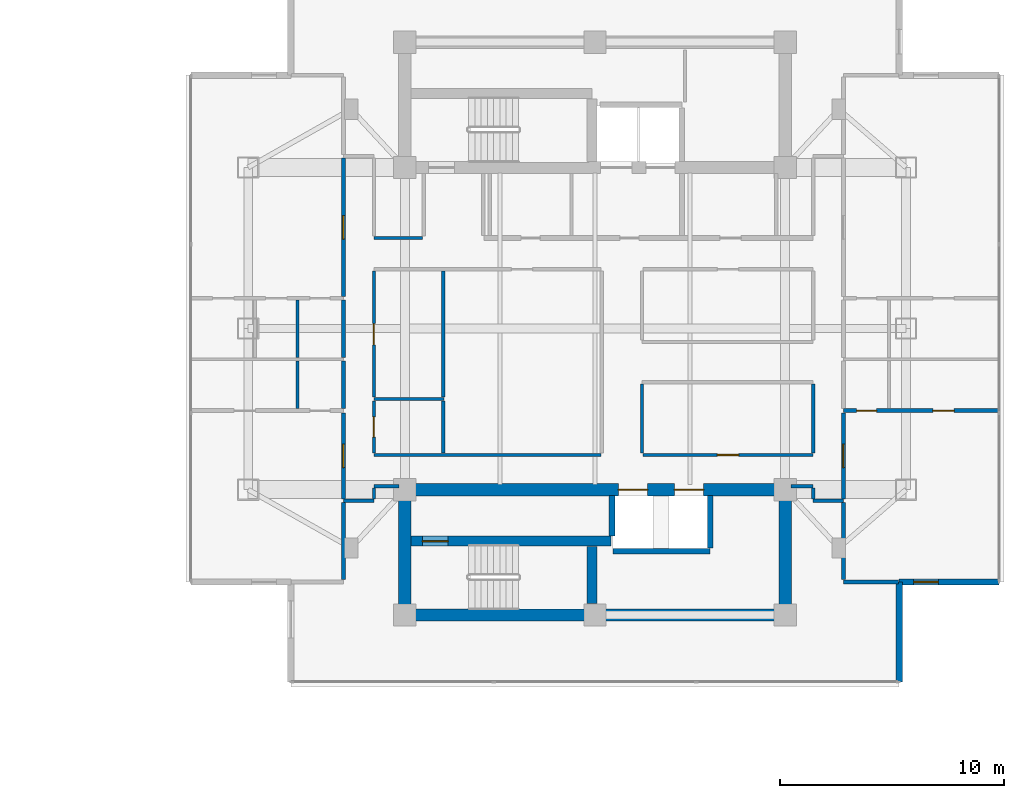
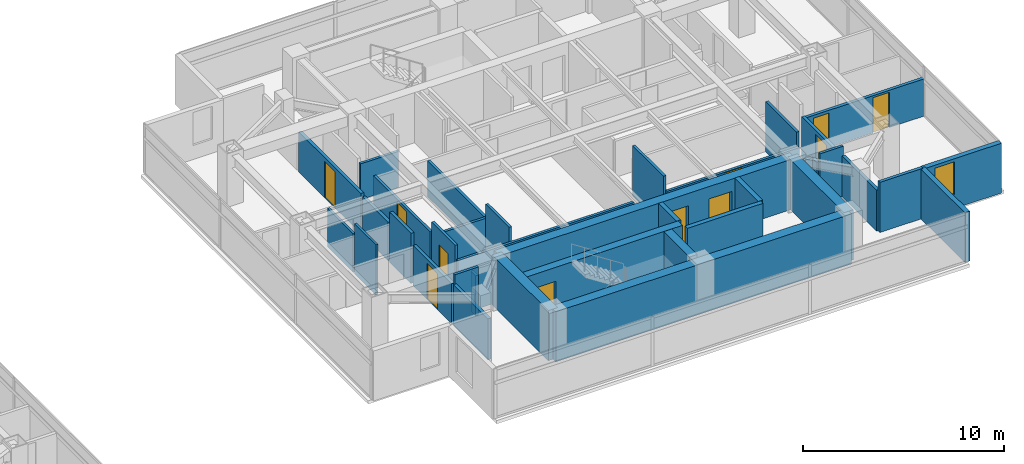
# One storey, part 17 of 25: 38 walls, 11 doors, 1 window, 12 openings.
"""IFC4 building model written with IfcOpenShell, lengths in metres."""

from ifc_helpers import new_model, si_unit, direction, frame, frame_2d, origin, place, context, subcontext, project, spatial, rectangle, extrude, material, layer, layer_set, type_object, element, fill, save


model = new_model("IFC4")

# Units and contexts
model_context = context("Model", 3, precision=1e-05, world=origin(), true_north=direction((0.0, 1.0)))
body_context = subcontext(model_context, "Body", "Model", "MODEL_VIEW")
ifc_project = project(units=[si_unit("LENGTHUNIT", "METRE"), si_unit("AREAUNIT", "SQUARE_METRE"), si_unit("VOLUMEUNIT", "CUBIC_METRE"), si_unit("PLANEANGLEUNIT", "RADIAN"), si_unit("MASSUNIT", "GRAM", prefix="KILO")], contexts=[model_context])

# Site, building, storey
site_placement = place(None, origin())
site = spatial("IfcSite", under=ifc_project, at=site_placement, CompositionType="ELEMENT")
building_placement = place(site_placement, origin())
building = spatial("IfcBuilding", under=site, at=building_placement, Name="Mirazonda Arch Towers", CompositionType="ELEMENT")
storey_placement = place(building_placement, frame((0.0, 0.0, 173.89990234375)))
storey = spatial("IfcBuildingStorey", under=building, at=storey_placement, Name="L49", CompositionType="ELEMENT", Elevation=173.89990234375)

# Wall, opening, door
ifc_material_1 = material(Name="Concrete C50/60", Category="concrete")
ifc_layer_1 = layer(ifc_material_1, 0.449951171875, Name="WALL-CORE-450")
ifc_layer_set_1 = layer_set([ifc_layer_1], Name="Concrete C50/60")
wall_type_1 = type_object("IfcWallType", Name="WALL-CORE-450", PredefinedType="SHEAR", material=ifc_layer_set_1)
wall_1_placement = place(storey_placement, frame((68.27001953125, 18.5, 0.0), z_axis=(0.0, 0.0, 1.0), x_axis=(1.0, 0.0, 0.0)))
wall_1 = element("IfcWall", 1, at=wall_1_placement, inside=storey, type_object=wall_type_1, Name="L49 Stair Core Shear Wall 013", PredefinedType="SHEAR", context=body_context, shape_type="SweptSolid", body=[
    extrude(rectangle(XDim=8.949951171875, YDim=0.449951171875, at=frame_2d((4.47509765625, 0.0))), origin(), (0.0, 0.0, 1.0), 3.050048828125),
])
opening_1_placement = place(wall_1_placement, frame((0.52001953125, 0.0, 0.0)))
opening_1 = element("IfcOpeningElement", 2, at=opening_1_placement, cuts=wall_1, Name="Opening DR-135", PredefinedType="OPENING", context=body_context, shape_type="SweptSolid", body=[
    extrude(rectangle(XDim=1.14990234375, YDim=2.199951171875, at=frame_2d((0.574951171875, 1.10009765625))), frame((0.0, 0.23486328125, 0.0), z_axis=(0.0, -1.0, 0.0), x_axis=(1.0, 0.0, 0.0)), (0.0, 0.0, 1.0), 0.469970703125),
])
ifc_material_2 = material(Name="Architectural Brushed Steel S355", Category="steel")
door_type_1 = type_object("IfcDoorType", Name="DOOR-STAIR-FD90-1150", OperationType="NOTDEFINED", PredefinedType="DOOR", material=ifc_material_2)
door_1_placement = place(opening_1_placement, origin())
door_1 = element("IfcDoor", 3, at=door_1_placement, inside=storey, type_object=door_type_1, Name="L49 East Protected Stair South Door", OperationType="SINGLE_SWING_RIGHT", OverallHeight=2.199951171875, OverallWidth=1.14990234375, PredefinedType="DOOR", context=body_context, shape_type="SweptSolid", body=[
    extrude(rectangle(XDim=1.14990234375, YDim=2.199951171875, at=frame_2d((0.574951171875, 1.10009765625))), frame((0.0, 0.02490234375, 0.0), z_axis=(0.0, -1.0, 0.0), x_axis=(1.0, 0.0, 0.0)), (0.0, 0.0, 1.0), 0.050048828125),
])
fill(opening_1, door_1)

# Walls
wall_2_placement = place(storey_placement, frame((76.360107421875, 15.715087890625, 0.0), z_axis=(0.0, 0.0, 1.0), x_axis=(0.0, 1.0, 0.0)))
element("IfcWall", 4, at=wall_2_placement, inside=storey, type_object=wall_type_1, Name="L49 Stair Core Shear Wall 154", PredefinedType="SHEAR", context=body_context, shape_type="SweptSolid", body=[
    extrude(rectangle(XDim=2.5498046875, YDim=0.449951171875, at=frame_2d((1.27490234375, 0.0))), origin(), (0.0, 0.0, 1.0), 3.050048828125),
])
ifc_layer_2 = layer(ifc_material_1, 0.550048828125, Name="WALL-CORE-550")
ifc_layer_set_2 = layer_set([ifc_layer_2], Name="Concrete C50/60")
wall_type_2 = type_object("IfcWallType", Name="WALL-CORE-550", PredefinedType="SHEAR", material=ifc_layer_set_2)
wall_3_placement = place(storey_placement, frame((68.0, 15.199951171875, 0.0), z_axis=(0.0, 0.0, 1.0), x_axis=(1.0, 0.0, 0.0)))
element("IfcWall", 5, at=wall_3_placement, inside=storey, type_object=wall_type_2, Name="L49 T2S-S Core Shear Wall", PredefinedType="SHEAR", context=body_context, shape_type="SweptSolid", body=[
    extrude(rectangle(XDim=17.0, YDim=0.550048828125, at=frame_2d((8.5, 0.0))), origin(), (0.0, 0.0, 1.0), 3.050048828125),
])
for number, where, z_axis, x_axis, name in (
    (6, (68.0, 15.199951171875, 0.0), (0.0, 0.0, 1.0), (0.0, 1.0, 0.0), "L49 T2S-W Core Shear Wall"),
    (7, (85.0, 15.199951171875, 0.0), (0.0, 0.0, 1.0), (0.0, 1.0, 0.0), "L49 T2S-E Core Shear Wall"),
):
    element("IfcWall", number, at=place(storey_placement, frame(where, z_axis=z_axis, x_axis=x_axis)), inside=storey, type_object=wall_type_2, Name=name, PredefinedType="SHEAR", context=body_context, shape_type="SweptSolid", body=[
        extrude(rectangle(XDim=5.60009765625, YDim=0.550048828125, at=frame_2d((2.800048828125, 0.0))), origin(), (0.0, 0.0, 1.0), 3.050048828125),
    ])

# Wall, openings, doors
wall_4_placement = place(storey_placement, frame((68.0, 20.800048828125, 0.0), z_axis=(0.0, 0.0, 1.0), x_axis=(1.0, 0.0, 0.0)))
wall_4 = element("IfcWall", 8, at=wall_4_placement, inside=storey, type_object=wall_type_2, Name="L49 T2S-N Core Shear Wall", PredefinedType="SHEAR", context=body_context, shape_type="SweptSolid", body=[
    extrude(rectangle(XDim=17.0, YDim=0.550048828125, at=frame_2d((8.5, 0.0))), origin(), (0.0, 0.0, 1.0), 3.050048828125),
])
opening_2_placement = place(wall_4_placement, frame((9.550048828125, 0.0, 0.0)))
opening_2 = element("IfcOpeningElement", 9, at=opening_2_placement, cuts=wall_4, Name="Opening LD-111", PredefinedType="OPENING", context=body_context, shape_type="SweptSolid", body=[
    extrude(rectangle(XDim=1.300048828125, YDim=2.300048828125, at=frame_2d((0.64990234375, 1.14990234375))), frame((0.0, 0.284912109375, 0.0), z_axis=(0.0, -1.0, 0.0), x_axis=(1.0, 0.0, 0.0)), (0.0, 0.0, 1.0), 0.570068359375),
])
opening_3_placement = place(wall_4_placement, frame((12.050048828125, 0.0, 0.0)))
opening_3 = element("IfcOpeningElement", 10, at=opening_3_placement, cuts=wall_4, Name="Opening LD-111", PredefinedType="OPENING", context=body_context, shape_type="SweptSolid", body=[
    extrude(rectangle(XDim=1.300048828125, YDim=2.300048828125, at=frame_2d((0.64990234375, 1.14990234375))), frame((0.0, 0.284912109375, 0.0), z_axis=(0.0, -1.0, 0.0), x_axis=(1.0, 0.0, 0.0)), (0.0, 0.0, 1.0), 0.570068359375),
])
door_type_2 = type_object("IfcDoorType", Name="DOOR-LIFT-LAND-1300", OperationType="NOTDEFINED", PredefinedType="DOOR", material=ifc_material_2)
door_2_placement = place(opening_2_placement, origin())
door_2 = element("IfcDoor", 11, at=door_2_placement, inside=storey, type_object=door_type_2, Name="L49 Lift Landing Sliding Door PL-T2H1", OperationType="DOUBLE_DOOR_SLIDING", OverallHeight=2.300048828125, OverallWidth=1.300048828125, PredefinedType="DOOR", context=body_context, shape_type="SweptSolid", body=[
    extrude(rectangle(XDim=1.300048828125, YDim=2.300048828125, at=frame_2d((0.64990234375, 1.14990234375))), frame((0.0, 0.02490234375, 0.0), z_axis=(0.0, -1.0, 0.0), x_axis=(1.0, 0.0, 0.0)), (0.0, 0.0, 1.0), 0.050048828125),
])
fill(opening_2, door_2)
door_3_placement = place(opening_3_placement, origin())
door_3 = element("IfcDoor", 12, at=door_3_placement, inside=storey, type_object=door_type_2, Name="L49 Lift Landing Sliding Door PL-T2H2", OperationType="DOUBLE_DOOR_SLIDING", OverallHeight=2.300048828125, OverallWidth=1.300048828125, PredefinedType="DOOR", context=body_context, shape_type="SweptSolid", body=[
    extrude(rectangle(XDim=1.300048828125, YDim=2.300048828125, at=frame_2d((0.64990234375, 1.14990234375))), frame((0.0, 0.02490234375, 0.0), z_axis=(0.0, -1.0, 0.0), x_axis=(1.0, 0.0, 0.0)), (0.0, 0.0, 1.0), 0.050048828125),
])
fill(opening_3, door_3)

# Wall, opening, window
ifc_material_3 = material(Name="Precast Concrete C40/50", Category="concrete")
ifc_layer_3 = layer(ifc_material_3, 0.280029296875, Name="WALL-EXT-WALL-280")
ifc_layer_set_3 = layer_set([ifc_layer_3], Name="Precast Concrete C40/50")
wall_type_3 = type_object("IfcWallType", Name="WALL-EXT-WALL-280", PredefinedType="SOLIDWALL", material=ifc_layer_set_3)
wall_5_placement = place(storey_placement, frame((90.09521484375, 16.673828125, 0.0), z_axis=(0.0, 0.0, 1.0), x_axis=(1.0, 0.0, 0.0)))
wall_5 = element("IfcWall", 13, at=wall_5_placement, inside=storey, type_object=wall_type_3, Name="L49 T2 Corner Notch Return Wall WL-L49-T2-CSE1", PredefinedType="SOLIDWALL", context=body_context, shape_type="SweptSolid", body=[
    extrude(rectangle(XDim=4.46533203125, YDim=0.280029296875, at=frame_2d((2.232666015625, 0.0))), origin(), (0.0, 0.0, 1.0), 3.030029296875),
])
opening_4_placement = place(wall_5_placement, frame((0.64990234375, 0.0, 0.85009765625)))
opening_4 = element("IfcOpeningElement", 14, at=opening_4_placement, cuts=wall_5, Name="Opening WN-108", PredefinedType="OPENING", context=body_context, shape_type="SweptSolid", body=[
    extrude(rectangle(XDim=1.10009765625, YDim=2.0, at=frame_2d((0.550048828125, 1.0))), frame((0.0, 0.14990234375, 0.0), z_axis=(0.0, -1.0, 0.0), x_axis=(1.0, 0.0, 0.0)), (0.0, 0.0, 1.0), 0.300048828125),
])
ifc_material_4 = material(Name="Insulated Low-E Solar Glass", Category="glass")
window_type = type_object("IfcWindowType", Name="WIN-NOTCH-1100x2000", PartitioningType="SINGLE_PANEL", PredefinedType="WINDOW", material=ifc_material_4)
window_placement = place(opening_4_placement, origin())
window = element("IfcWindow", 15, at=window_placement, inside=storey, type_object=window_type, Name="L49 Punched Facade Window WN-L49-T2-CSE1", OverallHeight=2.0, OverallWidth=1.10009765625, PartitioningType="SINGLE_PANEL", PredefinedType="WINDOW", context=body_context, shape_type="SweptSolid", body=[
    extrude(rectangle(XDim=1.10009765625, YDim=2.0, at=frame_2d((0.550048828125, 1.0))), frame((0.0, 0.030029296875, 0.0), z_axis=(0.0, -1.0, 0.0), x_axis=(1.0, 0.0, 0.0)), (0.0, 0.0, 1.0), 0.06005859375),
])
fill(opening_4, window)

# Walls
wall_6_placement = place(storey_placement, frame((90.09521484375, 12.208740234375, 0.0), z_axis=(0.0, 0.0, 1.0), x_axis=(0.0, 1.0, 0.0)))
element("IfcWall", 16, at=wall_6_placement, inside=storey, type_object=wall_type_3, Name="L49 T2 Corner Notch Return Wall WL-L49-T2-CSE2", PredefinedType="SOLIDWALL", context=body_context, shape_type="SweptSolid", body=[
    extrude(rectangle(XDim=4.465087890625, YDim=0.280029296875, at=frame_2d((2.232421875, 0.0))), origin(), (0.0, 0.0, 1.0), 3.030029296875),
])
ifc_material_5 = material(Name="Fire-Rated Gypsum Stud Partition")
ifc_layer_4 = layer(ifc_material_5, 0.14990234375, Name="WALL-PART-CORR-150")
ifc_layer_set_4 = layer_set([ifc_layer_4], Name="Fire-Rated Gypsum Stud Partition")
wall_type_4 = type_object("IfcWallType", Name="WALL-PART-CORR-150", PredefinedType="PARTITIONING", material=ifc_layer_set_4)
wall_7_placement = place(storey_placement, frame((65.25, 20.300048828125, 0.0), z_axis=(0.0, 0.0, 1.0), x_axis=(1.0, 0.0, 0.0)))
element("IfcWall", 17, at=wall_7_placement, inside=storey, type_object=wall_type_4, Name="L49 Interior Partition 017", PredefinedType="PARTITIONING", context=body_context, shape_type="SweptSolid", body=[
    extrude(rectangle(XDim=1.3701171875, YDim=0.14990234375, at=frame_2d((0.68505859375, 0.0))), origin(), (0.0, 0.0, 1.0), 3.050048828125),
])
wall_8_placement = place(storey_placement, frame((86.25, 20.300048828125, 0.0), z_axis=(0.0, 0.0, 1.0), x_axis=(1.0, 0.0, 0.0)))
element("IfcWall", 18, at=wall_8_placement, inside=storey, type_object=wall_type_4, Name="L49 Interior Partition 018", PredefinedType="PARTITIONING", context=body_context, shape_type="SweptSolid", body=[
    extrude(rectangle(XDim=1.35009765625, YDim=0.14990234375, at=frame_2d((0.675048828125, 0.0))), origin(), (0.0, 0.0, 1.0), 3.050048828125),
])
wall_9_placement = place(storey_placement, frame((66.6201171875, 20.949951171875, 0.0), z_axis=(0.0, 0.0, 1.0), x_axis=(1.0, 0.0, 0.0)))
element("IfcWall", 19, at=wall_9_placement, inside=storey, type_object=wall_type_4, Name="L49 Interior Partition 019", PredefinedType="PARTITIONING", context=body_context, shape_type="SweptSolid", body=[
    extrude(rectangle(XDim=1.10986328125, YDim=0.14990234375, at=frame_2d((0.554931640625, 0.0))), origin(), (0.0, 0.0, 1.0), 2.442138671875),
])
wall_10_placement = place(storey_placement, frame((85.27001953125, 20.949951171875, 0.0), z_axis=(0.0, 0.0, 1.0), x_axis=(1.0, 0.0, 0.0)))
element("IfcWall", 20, at=wall_10_placement, inside=storey, type_object=wall_type_4, Name="L49 Interior Partition 020", PredefinedType="PARTITIONING", context=body_context, shape_type="SweptSolid", body=[
    extrude(rectangle(XDim=0.97998046875, YDim=0.14990234375, at=frame_2d((0.489990234375, 0.0))), origin(), (0.0, 0.0, 1.0), 2.442138671875),
])
wall_11_placement = place(storey_placement, frame((66.6201171875, 22.35009765625, 0.0), z_axis=(0.0, 0.0, 1.0), x_axis=(1.0, 0.0, 0.0)))
element("IfcWall", 21, at=wall_11_placement, inside=storey, type_object=wall_type_4, Name="L49 Interior Partition 023", PredefinedType="PARTITIONING", context=body_context, shape_type="SweptSolid", body=[
    extrude(rectangle(XDim=10.139892578125, YDim=0.14990234375, at=frame_2d((5.06982421875, 0.0))), origin(), (0.0, 0.0, 1.0), 2.18603515625),
])

# Wall, opening, door
wall_12_placement = place(storey_placement, frame((78.639892578125, 22.35009765625, 0.0), z_axis=(0.0, 0.0, 1.0), x_axis=(1.0, 0.0, 0.0)))
wall_12 = element("IfcWall", 22, at=wall_12_placement, inside=storey, type_object=wall_type_4, Name="L49 Interior Partition 024", PredefinedType="PARTITIONING", context=body_context, shape_type="SweptSolid", body=[
    extrude(rectangle(XDim=7.610107421875, YDim=0.14990234375, at=frame_2d((3.80517578125, 0.0))), origin(), (0.0, 0.0, 1.0), 2.18603515625),
])
opening_5_placement = place(wall_12_placement, frame((3.330078125, 0.0, 0.0)))
opening_5 = element("IfcOpeningElement", 23, at=opening_5_placement, cuts=wall_12, Name="Opening DR-104", PredefinedType="OPENING", context=body_context, shape_type="SweptSolid", body=[
    extrude(rectangle(XDim=0.949951171875, YDim=2.14990234375, at=frame_2d((0.47509765625, 1.074951171875))), frame((0.0, 0.0849609375, 0.0), z_axis=(0.0, -1.0, 0.0), x_axis=(1.0, 0.0, 0.0)), (0.0, 0.0, 1.0), 0.169921875),
])
door_type_3 = type_object("IfcDoorType", Name="DOOR-ROOM-950", OperationType="NOTDEFINED", PredefinedType="DOOR", material=ifc_material_2)
door_4_placement = place(opening_5_placement, origin())
door_4 = element("IfcDoor", 24, at=door_4_placement, inside=storey, type_object=door_type_3, Name="L49 L49 Tower 2 South-East Salon Door", OperationType="SINGLE_SWING_LEFT", OverallHeight=2.14990234375, OverallWidth=0.949951171875, PredefinedType="DOOR", context=body_context, shape_type="SweptSolid", body=[
    extrude(rectangle(XDim=0.949951171875, YDim=2.14990234375, at=frame_2d((0.47509765625, 1.074951171875))), frame((0.0, 0.02490234375, 0.0), z_axis=(0.0, -1.0, 0.0), x_axis=(1.0, 0.0, 0.0)), (0.0, 0.0, 1.0), 0.050048828125),
])
fill(opening_5, door_4)

# Walls
wall_13_placement = place(storey_placement, frame((66.6201171875, 24.85009765625, 0.0), z_axis=(0.0, 0.0, 1.0), x_axis=(1.0, 0.0, 0.0)))
element("IfcWall", 25, at=wall_13_placement, inside=storey, type_object=wall_type_4, Name="L49 Interior Partition 028", PredefinedType="PARTITIONING", context=body_context, shape_type="SweptSolid", body=[
    extrude(rectangle(XDim=3.1298828125, YDim=0.14990234375, at=frame_2d((1.56494140625, 0.0))), origin(), (0.0, 0.0, 1.0), 2.18603515625),
])
wall_14_placement = place(storey_placement, frame((66.6201171875, 32.050048828125, 0.0), z_axis=(0.0, 0.0, 1.0), x_axis=(1.0, 0.0, 0.0)))
element("IfcWall", 26, at=wall_14_placement, inside=storey, type_object=wall_type_4, Name="L49 Interior Partition 044", PredefinedType="PARTITIONING", context=body_context, shape_type="SweptSolid", body=[
    extrude(rectangle(XDim=2.179931640625, YDim=0.14990234375, at=frame_2d((1.08984375, 0.0))), origin(), (0.0, 0.0, 1.0), 2.18603515625),
])
wall_15_placement = place(storey_placement, frame((66.6201171875, 20.385009765625, 0.0), z_axis=(0.0, 0.0, 1.0), x_axis=(0.0, 1.0, 0.0)))
element("IfcWall", 27, at=wall_15_placement, inside=storey, type_object=wall_type_4, Name="L49 Interior Partition 144", PredefinedType="PARTITIONING", context=body_context, shape_type="SweptSolid", body=[
    extrude(rectangle(XDim=0.47998046875, YDim=0.14990234375, at=frame_2d((0.239990234375, 0.0))), origin(), (0.0, 0.0, 1.0), 2.442138671875),
])

# Wall, opening, door
wall_16_placement = place(storey_placement, frame((66.6201171875, 22.43505859375, 0.0), z_axis=(0.0, 0.0, 1.0), x_axis=(0.0, 1.0, 0.0)))
wall_16 = element("IfcWall", 28, at=wall_16_placement, inside=storey, type_object=wall_type_4, Name="L49 Interior Partition 145", PredefinedType="PARTITIONING", context=body_context, shape_type="SweptSolid", body=[
    extrude(rectangle(XDim=2.329833984375, YDim=0.14990234375, at=frame_2d((1.1650390625, 0.0))), origin(), (0.0, 0.0, 1.0), 3.050048828125),
])
opening_6_placement = place(wall_16_placement, frame((0.715087890625, 0.0, 0.0)))
opening_6 = element("IfcOpeningElement", 29, at=opening_6_placement, cuts=wall_16, Name="Opening DR-120", PredefinedType="OPENING", context=body_context, shape_type="SweptSolid", body=[
    extrude(rectangle(XDim=0.89990234375, YDim=2.10009765625, at=frame_2d((0.449951171875, 1.050048828125))), frame((0.0, 0.0849609375, 0.0), z_axis=(0.0, -1.0, 0.0), x_axis=(1.0, 0.0, 0.0)), (0.0, 0.0, 1.0), 0.169921875),
])
door_type_4 = type_object("IfcDoorType", Name="DOOR-WC-900", OperationType="NOTDEFINED", PredefinedType="DOOR", material=ifc_material_2)
door_5_placement = place(opening_6_placement, origin())
door_5 = element("IfcDoor", 30, at=door_5_placement, inside=storey, type_object=door_type_4, Name="L49 Tower 2 Common Accessible WC Door", OperationType="SINGLE_SWING_LEFT", OverallHeight=2.10009765625, OverallWidth=0.89990234375, PredefinedType="DOOR", context=body_context, shape_type="SweptSolid", body=[
    extrude(rectangle(XDim=0.89990234375, YDim=2.10009765625, at=frame_2d((0.449951171875, 1.050048828125))), frame((0.0, 0.02490234375, 0.0), z_axis=(0.0, -1.0, 0.0), x_axis=(1.0, 0.0, 0.0)), (0.0, 0.0, 1.0), 0.050048828125),
])
fill(opening_6, door_5)

wall_17_placement = place(storey_placement, frame((66.6201171875, 24.93505859375, 0.0), z_axis=(0.0, 0.0, 1.0), x_axis=(0.0, 1.0, 0.0)))
wall_17 = element("IfcWall", 31, at=wall_17_placement, inside=storey, type_object=wall_type_4, Name="L49 Interior Partition 146", PredefinedType="PARTITIONING", context=body_context, shape_type="SweptSolid", body=[
    extrude(rectangle(XDim=5.6298828125, YDim=0.14990234375, at=frame_2d((2.81494140625, 0.0))), origin(), (0.0, 0.0, 1.0), 2.34619140625),
])
opening_7_placement = place(wall_17_placement, frame((2.340087890625, 0.0, 0.0)))
opening_7 = element("IfcOpeningElement", 32, at=opening_7_placement, cuts=wall_17, Name="Opening DR-104", PredefinedType="OPENING", context=body_context, shape_type="SweptSolid", body=[
    extrude(rectangle(XDim=0.949951171875, YDim=2.14990234375, at=frame_2d((0.47509765625, 1.074951171875))), frame((0.0, 0.0849609375, 0.0), z_axis=(0.0, -1.0, 0.0), x_axis=(1.0, 0.0, 0.0)), (0.0, 0.0, 1.0), 0.169921875),
])
door_6_placement = place(opening_7_placement, origin())
door_6 = element("IfcDoor", 33, at=door_6_placement, inside=storey, type_object=door_type_3, Name="L49 L49 East Courtyard Reading Study Door", OperationType="SINGLE_SWING_LEFT", OverallHeight=2.14990234375, OverallWidth=0.949951171875, PredefinedType="DOOR", context=body_context, shape_type="SweptSolid", body=[
    extrude(rectangle(XDim=0.949951171875, YDim=2.14990234375, at=frame_2d((0.47509765625, 1.074951171875))), frame((0.0, 0.02490234375, 0.0), z_axis=(0.0, -1.0, 0.0), x_axis=(1.0, 0.0, 0.0)), (0.0, 0.0, 1.0), 0.050048828125),
])
fill(opening_7, door_6)

# Walls
wall_18_placement = place(storey_placement, frame((69.723388671875, 22.43505859375, 0.0), z_axis=(0.0, 0.0, 1.0), x_axis=(0.0, 1.0, 0.0)))
element("IfcWall", 34, at=wall_18_placement, inside=storey, type_object=wall_type_4, Name="L49 Interior Partition 149", PredefinedType="PARTITIONING", context=body_context, shape_type="SweptSolid", body=[
    extrude(rectangle(XDim=2.329833984375, YDim=0.14990234375, at=frame_2d((1.1650390625, 0.0))), origin(), (0.0, 0.0, 1.0), 3.050048828125),
])
wall_19_placement = place(storey_placement, frame((69.723388671875, 24.93505859375, 0.0), z_axis=(0.0, 0.0, 1.0), x_axis=(0.0, 1.0, 0.0)))
element("IfcWall", 35, at=wall_19_placement, inside=storey, type_object=wall_type_4, Name="L49 Interior Partition 150", PredefinedType="PARTITIONING", context=body_context, shape_type="SweptSolid", body=[
    extrude(rectangle(XDim=5.6298828125, YDim=0.14990234375, at=frame_2d((2.81494140625, 0.0))), origin(), (0.0, 0.0, 1.0), 2.18603515625),
])
wall_20_placement = place(storey_placement, frame((78.60009765625, 22.43505859375, 0.0), z_axis=(0.0, 0.0, 1.0), x_axis=(0.0, 1.0, 0.0)))
element("IfcWall", 36, at=wall_20_placement, inside=storey, type_object=wall_type_4, Name="L49 Interior Partition 158", PredefinedType="PARTITIONING", context=body_context, shape_type="SweptSolid", body=[
    extrude(rectangle(XDim=3.079833984375, YDim=0.14990234375, at=frame_2d((1.5400390625, 0.0))), origin(), (0.0, 0.0, 1.0), 3.050048828125),
])
wall_21_placement = place(storey_placement, frame((86.25, 20.385009765625, 0.0), z_axis=(0.0, 0.0, 1.0), x_axis=(0.0, 1.0, 0.0)))
element("IfcWall", 37, at=wall_21_placement, inside=storey, type_object=wall_type_4, Name="L49 Interior Partition 165", PredefinedType="PARTITIONING", context=body_context, shape_type="SweptSolid", body=[
    extrude(rectangle(XDim=0.47998046875, YDim=0.14990234375, at=frame_2d((0.239990234375, 0.0))), origin(), (0.0, 0.0, 1.0), 2.442138671875),
])
wall_22_placement = place(storey_placement, frame((86.25, 22.43505859375, 0.0), z_axis=(0.0, 0.0, 1.0), x_axis=(0.0, 1.0, 0.0)))
element("IfcWall", 38, at=wall_22_placement, inside=storey, type_object=wall_type_4, Name="L49 Interior Partition 166", PredefinedType="PARTITIONING", context=body_context, shape_type="SweptSolid", body=[
    extrude(rectangle(XDim=3.079833984375, YDim=0.14990234375, at=frame_2d((1.5400390625, 0.0))), origin(), (0.0, 0.0, 1.0), 3.050048828125),
])
ifc_material_6 = material(Name="Fire-Rated Gypsum Twin-Stud Assembly")
ifc_layer_5 = layer(ifc_material_6, 0.179931640625, Name="WALL-PART-DEMISE-180")
ifc_layer_set_5 = layer_set([ifc_layer_5], Name="Fire-Rated Gypsum Twin-Stud Assembly")
wall_type_5 = type_object("IfcWallType", Name="WALL-PART-DEMISE-180", PredefinedType="PARTITIONING", material=ifc_layer_set_5)
wall_23_placement = place(storey_placement, frame((87.60009765625, 16.674072265625, 0.0), z_axis=(0.0, 0.0, 1.0), x_axis=(1.0, 0.0, 0.0)))
element("IfcWall", 39, at=wall_23_placement, inside=storey, type_object=wall_type_5, Name="L49 Interior Partition 009", PredefinedType="PARTITIONING", context=body_context, shape_type="SweptSolid", body=[
    extrude(rectangle(XDim=2.47509765625, YDim=0.179931640625, at=frame_2d((1.237548828125, 0.0))), origin(), (0.0, 0.0, 1.0), 3.050048828125),
])

# Wall, openings, doors
wall_24_placement = place(storey_placement, frame((87.60009765625, 24.33203125, 0.0), z_axis=(0.0, 0.0, 1.0), x_axis=(1.0, 0.0, 0.0)))
wall_24 = element("IfcWall", 40, at=wall_24_placement, inside=storey, type_object=wall_type_5, Name="L49 Interior Partition 027", PredefinedType="PARTITIONING", context=body_context, shape_type="SweptSolid", body=[
    extrude(rectangle(XDim=6.9609375, YDim=0.179931640625, at=frame_2d((3.48046875, 0.0))), origin(), (0.0, 0.0, 1.0), 2.26904296875),
])
opening_8_placement = place(wall_24_placement, frame((4.005615234375, 0.0, 0.0)))
opening_8 = element("IfcOpeningElement", 41, at=opening_8_placement, cuts=wall_24, Name="Opening DR-104", PredefinedType="OPENING", context=body_context, shape_type="SweptSolid", body=[
    extrude(rectangle(XDim=0.949951171875, YDim=2.14990234375, at=frame_2d((0.47509765625, 1.074951171875))), frame((0.0, 0.099853515625, 0.0), z_axis=(0.0, -1.0, 0.0), x_axis=(1.0, 0.0, 0.0)), (0.0, 0.0, 1.0), 0.199951171875),
])
opening_9_placement = place(wall_24_placement, frame((0.590087890625, 0.0, 0.0)))
opening_9 = element("IfcOpeningElement", 42, at=opening_9_placement, cuts=wall_24, Name="Opening DR-120", PredefinedType="OPENING", context=body_context, shape_type="SweptSolid", body=[
    extrude(rectangle(XDim=0.89990234375, YDim=2.10009765625, at=frame_2d((0.449951171875, 1.050048828125))), frame((0.0, 0.099853515625, 0.0), z_axis=(0.0, -1.0, 0.0), x_axis=(1.0, 0.0, 0.0)), (0.0, 0.0, 1.0), 0.199951171875),
])
door_7_placement = place(opening_8_placement, origin())
door_7 = element("IfcDoor", 43, at=door_7_placement, inside=storey, type_object=door_type_3, Name="L49 Studio 1 Galley Kitchen Door", OperationType="SINGLE_SWING_RIGHT", OverallHeight=2.14990234375, OverallWidth=0.949951171875, PredefinedType="DOOR", context=body_context, shape_type="SweptSolid", body=[
    extrude(rectangle(XDim=0.949951171875, YDim=2.14990234375, at=frame_2d((0.47509765625, 1.074951171875))), frame((0.0, 0.02490234375, 0.0), z_axis=(0.0, -1.0, 0.0), x_axis=(1.0, 0.0, 0.0)), (0.0, 0.0, 1.0), 0.050048828125),
])
fill(opening_8, door_7)
door_8_placement = place(opening_9_placement, origin())
door_8 = element("IfcDoor", 44, at=door_8_placement, inside=storey, type_object=door_type_4, Name="L49 Studio 1 Bathroom Door", OperationType="SINGLE_SWING_LEFT", OverallHeight=2.10009765625, OverallWidth=0.89990234375, PredefinedType="DOOR", context=body_context, shape_type="SweptSolid", body=[
    extrude(rectangle(XDim=0.89990234375, YDim=2.10009765625, at=frame_2d((0.449951171875, 1.050048828125))), frame((0.0, 0.02490234375, 0.0), z_axis=(0.0, -1.0, 0.0), x_axis=(1.0, 0.0, 0.0)), (0.0, 0.0, 1.0), 0.050048828125),
])
fill(opening_9, door_8)

# Wall
wall_25_placement = place(storey_placement, frame((65.25, 16.77392578125, 0.0), z_axis=(0.0, 0.0, 1.0), x_axis=(0.0, 1.0, 0.0)))
element("IfcWall", 45, at=wall_25_placement, inside=storey, type_object=wall_type_5, Name="L49 Interior Partition 138", PredefinedType="PARTITIONING", context=body_context, shape_type="SweptSolid", body=[
    extrude(rectangle(XDim=3.441162109375, YDim=0.179931640625, at=frame_2d((1.720703125, 0.0))), origin(), (0.0, 0.0, 1.0), 2.4931640625),
])

# Wall, opening, door
wall_26_placement = place(storey_placement, frame((65.25, 20.385009765625, 0.0), z_axis=(0.0, 0.0, 1.0), x_axis=(0.0, 1.0, 0.0)))
wall_26 = element("IfcWall", 46, at=wall_26_placement, inside=storey, type_object=wall_type_5, Name="L49 Interior Partition 139", PredefinedType="PARTITIONING", context=body_context, shape_type="SweptSolid", body=[
    extrude(rectangle(XDim=3.846923828125, YDim=0.179931640625, at=frame_2d((1.92333984375, 0.0))), origin(), (0.0, 0.0, 1.0), 2.442138671875),
])
opening_10_placement = place(wall_26_placement, frame((1.3984375, 0.0, 0.0)))
opening_10 = element("IfcOpeningElement", 47, at=opening_10_placement, cuts=wall_26, Name="Opening DR-121", PredefinedType="OPENING", context=body_context, shape_type="SweptSolid", body=[
    extrude(rectangle(XDim=1.050048828125, YDim=2.199951171875, at=frame_2d((0.52490234375, 1.10009765625))), frame((0.0, 0.099853515625, 0.0), z_axis=(0.0, -1.0, 0.0), x_axis=(1.0, 0.0, 0.0)), (0.0, 0.0, 1.0), 0.199951171875),
])
door_type_5 = type_object("IfcDoorType", Name="DOOR-SUITE-FD60-1050", OperationType="NOTDEFINED", PredefinedType="DOOR", material=ifc_material_2)
door_9_placement = place(opening_10_placement, origin())
door_9 = element("IfcDoor", 48, at=door_9_placement, inside=storey, type_object=door_type_5, Name="L49 Studio Apartment 1 Living Salon Door", OperationType="SINGLE_SWING_RIGHT", OverallHeight=2.199951171875, OverallWidth=1.050048828125, PredefinedType="DOOR", context=body_context, shape_type="SweptSolid", body=[
    extrude(rectangle(XDim=1.050048828125, YDim=2.199951171875, at=frame_2d((0.52490234375, 1.10009765625))), frame((0.0, 0.02490234375, 0.0), z_axis=(0.0, -1.0, 0.0), x_axis=(1.0, 0.0, 0.0)), (0.0, 0.0, 1.0), 0.050048828125),
])
fill(opening_10, door_9)

# Walls
wall_27_placement = place(storey_placement, frame((65.25, 24.431884765625, 0.0), z_axis=(0.0, 0.0, 1.0), x_axis=(0.0, 1.0, 0.0)))
element("IfcWall", 49, at=wall_27_placement, inside=storey, type_object=wall_type_5, Name="L49 Interior Partition 140", PredefinedType="PARTITIONING", context=body_context, shape_type="SweptSolid", body=[
    extrude(rectangle(XDim=2.127685546875, YDim=0.179931640625, at=frame_2d((1.06396484375, 0.0))), origin(), (0.0, 0.0, 1.0), 3.050048828125),
])
wall_28_placement = place(storey_placement, frame((65.25, 26.70458984375, 0.0), z_axis=(0.0, 0.0, 1.0), x_axis=(0.0, 1.0, 0.0)))
element("IfcWall", 50, at=wall_28_placement, inside=storey, type_object=wall_type_5, Name="L49 Interior Partition 141", PredefinedType="PARTITIONING", context=body_context, shape_type="SweptSolid", body=[
    extrude(rectangle(XDim=2.5625, YDim=0.179931640625, at=frame_2d((1.28125, 0.0))), origin(), (0.0, 0.0, 1.0), 2.34619140625),
])

# Wall, opening, door
wall_29_placement = place(storey_placement, frame((65.25, 29.43701171875, 0.0), z_axis=(0.0, 0.0, 1.0), x_axis=(0.0, 1.0, 0.0)))
wall_29 = element("IfcWall", 51, at=wall_29_placement, inside=storey, type_object=wall_type_5, Name="L49 Interior Partition 142", PredefinedType="PARTITIONING", context=body_context, shape_type="SweptSolid", body=[
    extrude(rectangle(XDim=6.177978515625, YDim=0.179931640625, at=frame_2d((3.0888671875, 0.0))), origin(), (0.0, 0.0, 1.0), 2.442138671875),
])
opening_11_placement = place(wall_29_placement, frame((2.56396484375, 0.0, 0.0)))
opening_11 = element("IfcOpeningElement", 52, at=opening_11_placement, cuts=wall_29, Name="Opening DR-121", PredefinedType="OPENING", context=body_context, shape_type="SweptSolid", body=[
    extrude(rectangle(XDim=1.050048828125, YDim=2.199951171875, at=frame_2d((0.52490234375, 1.10009765625))), frame((0.0, 0.099853515625, 0.0), z_axis=(0.0, -1.0, 0.0), x_axis=(1.0, 0.0, 0.0)), (0.0, 0.0, 1.0), 0.199951171875),
])
door_10_placement = place(opening_11_placement, origin())
door_10 = element("IfcDoor", 53, at=door_10_placement, inside=storey, type_object=door_type_5, Name="L49 Residence 2 Living & Dining Salon Door", OperationType="SINGLE_SWING_LEFT", OverallHeight=2.199951171875, OverallWidth=1.050048828125, PredefinedType="DOOR", context=body_context, shape_type="SweptSolid", body=[
    extrude(rectangle(XDim=1.050048828125, YDim=2.199951171875, at=frame_2d((0.52490234375, 1.10009765625))), frame((0.0, 0.02490234375, 0.0), z_axis=(0.0, -1.0, 0.0), x_axis=(1.0, 0.0, 0.0)), (0.0, 0.0, 1.0), 0.050048828125),
])
fill(opening_11, door_10)

# Wall
wall_30_placement = place(storey_placement, frame((87.60009765625, 16.77392578125, 0.0), z_axis=(0.0, 0.0, 1.0), x_axis=(0.0, 1.0, 0.0)))
element("IfcWall", 54, at=wall_30_placement, inside=storey, type_object=wall_type_5, Name="L49 Interior Partition 169", PredefinedType="PARTITIONING", context=body_context, shape_type="SweptSolid", body=[
    extrude(rectangle(XDim=3.441162109375, YDim=0.179931640625, at=frame_2d((1.720703125, 0.0))), origin(), (0.0, 0.0, 1.0), 2.4931640625),
])

# Wall, opening, door
wall_31_placement = place(storey_placement, frame((87.60009765625, 20.385009765625, 0.0), z_axis=(0.0, 0.0, 1.0), x_axis=(0.0, 1.0, 0.0)))
wall_31 = element("IfcWall", 55, at=wall_31_placement, inside=storey, type_object=wall_type_5, Name="L49 Interior Partition 170", PredefinedType="PARTITIONING", context=body_context, shape_type="SweptSolid", body=[
    extrude(rectangle(XDim=3.846923828125, YDim=0.179931640625, at=frame_2d((1.92333984375, 0.0))), origin(), (0.0, 0.0, 1.0), 2.442138671875),
])
opening_12_placement = place(wall_31_placement, frame((1.3984375, 0.0, 0.0)))
opening_12 = element("IfcOpeningElement", 56, at=opening_12_placement, cuts=wall_31, Name="Opening DR-121", PredefinedType="OPENING", context=body_context, shape_type="SweptSolid", body=[
    extrude(rectangle(XDim=1.050048828125, YDim=2.199951171875, at=frame_2d((0.52490234375, 1.10009765625))), frame((0.0, 0.099853515625, 0.0), z_axis=(0.0, -1.0, 0.0), x_axis=(1.0, 0.0, 0.0)), (0.0, 0.0, 1.0), 0.199951171875),
])
door_11_placement = place(opening_12_placement, origin())
door_11 = element("IfcDoor", 57, at=door_11_placement, inside=storey, type_object=door_type_5, Name="L49 Studio Apartment 1 Living Salon Door", OperationType="SINGLE_SWING_LEFT", OverallHeight=2.199951171875, OverallWidth=1.050048828125, PredefinedType="DOOR", context=body_context, shape_type="SweptSolid", body=[
    extrude(rectangle(XDim=1.050048828125, YDim=2.199951171875, at=frame_2d((0.52490234375, 1.10009765625))), frame((0.0, 0.02490234375, 0.0), z_axis=(0.0, -1.0, 0.0), x_axis=(1.0, 0.0, 0.0)), (0.0, 0.0, 1.0), 0.050048828125),
])
fill(opening_12, door_11)

# Walls
ifc_material_7 = material(Name="Acoustic Fire-Rated Gypsum Partition")
ifc_layer_6 = layer(ifc_material_7, 0.125, Name="WALL-PART-UNIT-125")
ifc_layer_set_6 = layer_set([ifc_layer_6], Name="Acoustic Fire-Rated Gypsum Partition")
wall_type_6 = type_object("IfcWallType", Name="WALL-PART-UNIT-125", PredefinedType="PARTITIONING", material=ifc_layer_set_6)
wall_32_placement = place(storey_placement, frame((63.2099609375, 24.431884765625, 0.0), z_axis=(0.0, 0.0, 1.0), x_axis=(0.0, 1.0, 0.0)))
element("IfcWall", 58, at=wall_32_placement, inside=storey, type_object=wall_type_6, Name="L49 Interior Partition 136", PredefinedType="PARTITIONING", context=body_context, shape_type="SweptSolid", body=[
    extrude(rectangle(XDim=2.127685546875, YDim=0.125, at=frame_2d((1.06396484375, 0.0))), origin(), (0.0, 0.0, 1.0), 3.050048828125),
])
wall_33_placement = place(storey_placement, frame((63.2099609375, 26.70458984375, 0.0), z_axis=(0.0, 0.0, 1.0), x_axis=(0.0, 1.0, 0.0)))
element("IfcWall", 59, at=wall_33_placement, inside=storey, type_object=wall_type_6, Name="L49 Interior Partition 137", PredefinedType="PARTITIONING", context=body_context, shape_type="SweptSolid", body=[
    extrude(rectangle(XDim=2.5625, YDim=0.125, at=frame_2d((1.28125, 0.0))), origin(), (0.0, 0.0, 1.0), 2.34619140625),
])
ifc_material_8 = material(Name="Concrete C40/50", Category="concrete")
ifc_layer_7 = layer(ifc_material_8, 0.25, Name="WALL-SHAFT-250")
ifc_layer_set_7 = layer_set([ifc_layer_7], Name="Concrete C40/50")
wall_type_7 = type_object("IfcWallType", Name="WALL-SHAFT-250", PredefinedType="SOLIDWALL", material=ifc_layer_set_7)
wall_34_placement = place(storey_placement, frame((77.300048828125, 18.050048828125, 0.0), z_axis=(0.0, 0.0, 1.0), x_axis=(1.0, 0.0, 0.0)))
element("IfcWall", 60, at=wall_34_placement, inside=storey, type_object=wall_type_7, Name="L49 Interior Partition 010", PredefinedType="SOLIDWALL", context=body_context, shape_type="SweptSolid", body=[
    extrude(rectangle(XDim=4.349853515625, YDim=0.25, at=frame_2d((2.1748046875, 0.0))), origin(), (0.0, 0.0, 1.0), 3.050048828125),
])
wall_35_placement = place(storey_placement, frame((77.260009765625, 18.735107421875, 0.0), z_axis=(0.0, 0.0, 1.0), x_axis=(0.0, 1.0, 0.0)))
element("IfcWall", 61, at=wall_35_placement, inside=storey, type_object=wall_type_7, Name="L49 Interior Partition 157", PredefinedType="SOLIDWALL", context=body_context, shape_type="SweptSolid", body=[
    extrude(rectangle(XDim=1.794921875, YDim=0.25, at=frame_2d((0.8974609375, 0.0))), origin(), (0.0, 0.0, 1.0), 3.050048828125),
])
wall_36_placement = place(storey_placement, frame((81.64990234375, 18.18505859375, 0.0), z_axis=(0.0, 0.0, 1.0), x_axis=(0.0, 1.0, 0.0)))
element("IfcWall", 62, at=wall_36_placement, inside=storey, type_object=wall_type_7, Name="L49 Interior Partition 163", PredefinedType="SOLIDWALL", context=body_context, shape_type="SweptSolid", body=[
    extrude(rectangle(XDim=2.344970703125, YDim=0.25, at=frame_2d((1.17236328125, 0.0))), origin(), (0.0, 0.0, 1.0), 3.050048828125),
])

save(model, "model.ifc")
